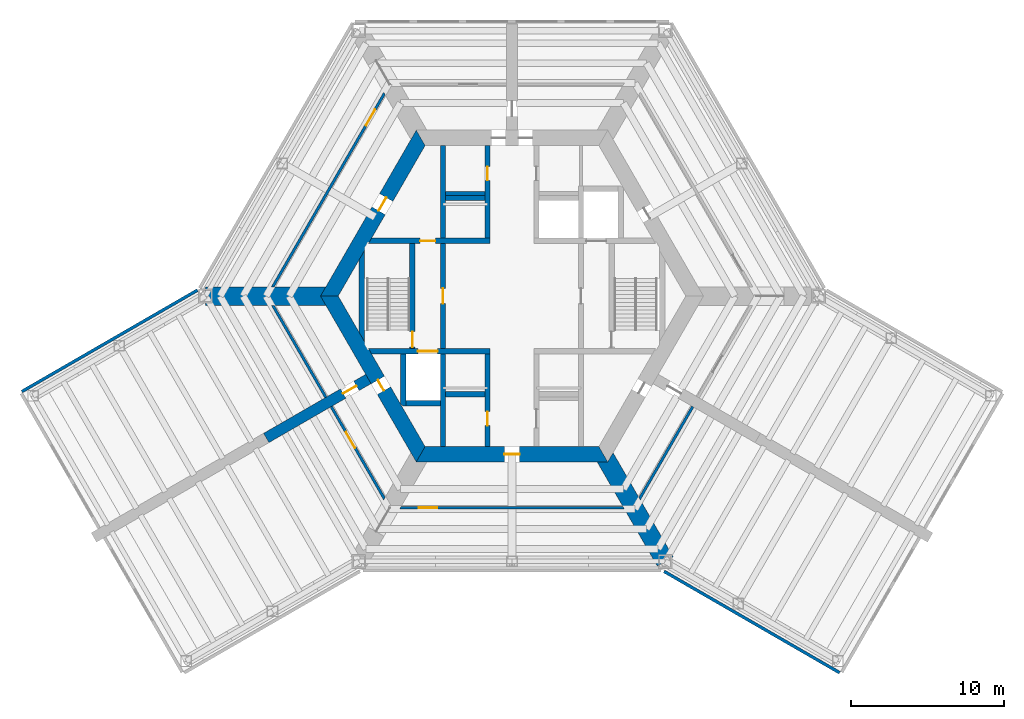
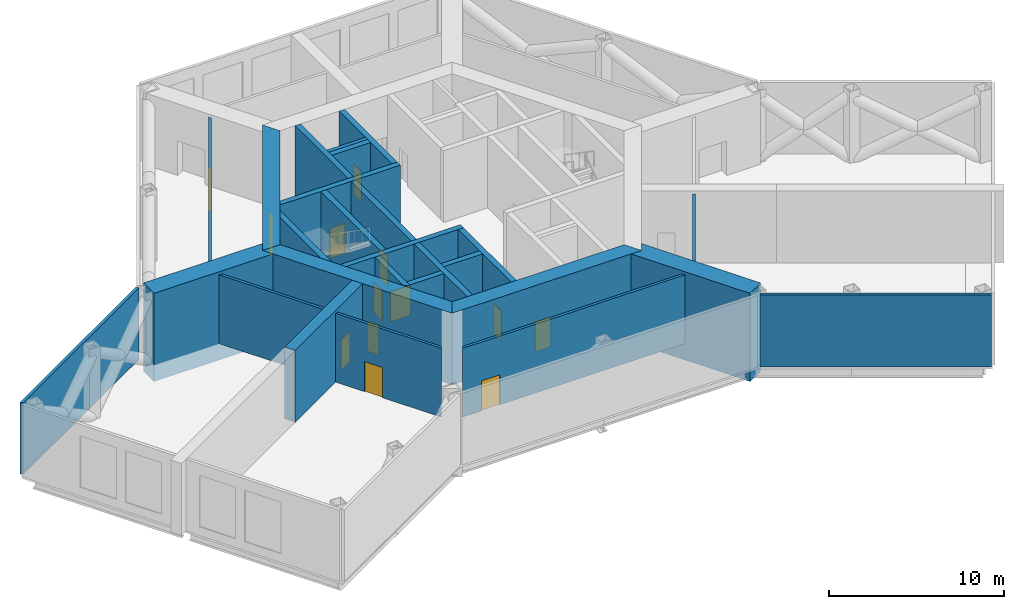
# One storey, part 4 of 8: 27 walls, 13 doors, 13 openings.
"""IFC4 building model written with IfcOpenShell, lengths in metres."""

import ifcopenshell
import ifcopenshell.guid

model = None  # the IFC model being written
_history = None  # IfcOwnerHistory: only IFC2X3 demands one
_inside = {}  # id of a spatial element -> (the spatial element, [elements in it])
_under = {}  # id of a project, library or spatial element -> (it, [spatial elements below it])
_declared = {}  # id of a project -> (the project, [libraries it declares])
_typed = {}  # id of a type object -> (the type object, [elements of that type])
_made_of = {}  # id of a material, layer set ... -> (it, [elements and type objects made of it])


def new_model(schema):
    """Start an empty IFC model of exactly this schema.

    Asked for "IFC4X3", IfcOpenShell would pick the latest addendum, in which some entities
    have other attributes; the version numbers below select the first issue.
    IFC2X3 requires an IfcOwnerHistory on every rooted entity: one is made here for all.
    """
    global model, _history
    if schema == "IFC4X3":
        model = ifcopenshell.file(schema_version=(4, 3, 0, 0))
    else:
        model = ifcopenshell.file(schema=schema)
    _inside.clear()
    _under.clear()
    _declared.clear()
    _typed.clear()
    _made_of.clear()
    _history = None
    if model.schema == "IFC2X3":
        org = make("IfcOrganization", Name="unknown")
        user = make(
            "IfcPersonAndOrganization",
            ThePerson=make("IfcPerson", FamilyName="unknown"),
            TheOrganization=org,
        )
        app = make(
            "IfcApplication",
            ApplicationDeveloper=org,
            Version="unknown",
            ApplicationFullName="unknown",
            ApplicationIdentifier="unknown",
        )
        _history = make(
            "IfcOwnerHistory",
            OwningUser=user,
            OwningApplication=app,
            ChangeAction="ADDED",
            CreationDate=0,
        )
    return model


def make(cls, **values):
    """One entity of the class cls with the attributes given. An attribute that is None is left unset."""
    return model.create_entity(
        cls, **{name: value for name, value in values.items() if value is not None}
    )


def rooted(cls, **values):
    """An entity with a GlobalId (a new one), such as an element, a storey or a relation."""
    return make(cls, GlobalId=ifcopenshell.guid.new(), OwnerHistory=_history, **values)


def si_unit(unit_type, name, prefix=None):
    """IfcSIUnit, for example si_unit("LENGTHUNIT", "METRE", prefix="MILLI")."""
    return make("IfcSIUnit", UnitType=unit_type, Prefix=prefix, Name=name)


def assignment(units):
    """IfcUnitAssignment: the units of a project."""
    return None if units is None else make("IfcUnitAssignment", Units=units)


def point(xyz):
    """IfcCartesianPoint."""
    return None if xyz is None else make("IfcCartesianPoint", Coordinates=xyz)


def direction(xyz):
    """IfcDirection."""
    return None if xyz is None else make("IfcDirection", DirectionRatios=xyz)


def frame(location, z_axis=None, x_axis=None):
    """IfcAxis2Placement3D, a coordinate frame: its origin and axes. An axis left out is left unset."""
    return make(
        "IfcAxis2Placement3D",
        Location=point(location),
        Axis=direction(z_axis),
        RefDirection=direction(x_axis),
    )


def frame_2d(location, x_axis=None):
    """IfcAxis2Placement2D, a coordinate frame in the plane: its origin and x axis."""
    return make(
        "IfcAxis2Placement2D", Location=point(location), RefDirection=direction(x_axis)
    )


def origin():
    """The frame at (0, 0, 0) with its axes left unset."""
    return frame((0.0, 0.0, 0.0))


def place(relative_to, where):
    """IfcLocalPlacement: puts the frame where relative to a parent placement (None: the world)."""
    return make(
        "IfcLocalPlacement", PlacementRelTo=relative_to, RelativePlacement=where
    )


def context(
    kind, dimensions, precision=None, world=None, true_north=None, identifier=None
):
    """IfcGeometricRepresentationContext, for example the 3D "Model" context."""
    return make(
        "IfcGeometricRepresentationContext",
        ContextIdentifier=identifier,
        ContextType=kind,
        CoordinateSpaceDimension=dimensions,
        Precision=precision,
        WorldCoordinateSystem=world,
        TrueNorth=true_north,
    )


def subcontext(parent, identifier, kind, view, scale=None):
    """IfcGeometricRepresentationSubContext, for example "Body" below "Model"."""
    return make(
        "IfcGeometricRepresentationSubContext",
        ContextIdentifier=identifier,
        ContextType=kind,
        ParentContext=parent,
        TargetScale=scale,
        TargetView=view,
    )


def project(units=None, contexts=None):
    """IfcProject with its units and contexts."""
    return rooted(
        "IfcProject",
        Name="project",
        RepresentationContexts=contexts,
        UnitsInContext=assignment(units),
    )


def spatial(cls, under=None, at=None, **own):
    """A site, building, storey or space (cls), placed at a placement, below another one or the project."""
    s = rooted(cls, ObjectPlacement=at, **own)
    if under is not None:
        _under.setdefault(under.id(), (under, []))[1].append(s)
    return s


def polyline(points):
    """IfcPolyline through the points."""
    return make("IfcPolyline", Points=[point(p) for p in points])


def profile(cls, at=None, kind="AREA", **sizes):
    """A parametric profile (cls). Its sizes go by their IFC names, for example OverallWidth=200.0."""
    return make(cls, ProfileType=kind, Position=at, **sizes)


def rectangle(**sizes):
    """IfcRectangleProfileDef."""
    return profile("IfcRectangleProfileDef", **sizes)


def outline(outer, holes=None, kind="AREA"):
    """IfcArbitraryClosedProfileDef: a profile drawn as a closed curve; with holes, ...WithVoids."""
    if holes is None:
        return make("IfcArbitraryClosedProfileDef", ProfileType=kind, OuterCurve=outer)
    return make(
        "IfcArbitraryProfileDefWithVoids",
        ProfileType=kind,
        OuterCurve=outer,
        InnerCurves=holes,
    )


def extrude(swept, where, along, depth):
    """IfcExtrudedAreaSolid: the profile swept, set in the frame where, extruded along a direction by depth."""
    return make(
        "IfcExtrudedAreaSolid",
        SweptArea=swept,
        Position=where,
        ExtrudedDirection=direction(along),
        Depth=depth,
    )


def shape(context_of_items, identifier, shape_type, items):
    """IfcShapeRepresentation: the items that make up one representation, for example the "Body"."""
    return make(
        "IfcShapeRepresentation",
        ContextOfItems=context_of_items,
        RepresentationIdentifier=identifier,
        RepresentationType=shape_type,
        Items=items,
    )


def material(Name=None, Category=None):
    """IfcMaterial."""
    return make("IfcMaterial", Name=Name, Category=Category)


def layer(
    of_material, thickness, ventilated=None, Name=None, Category=None, Priority=None
):
    """IfcMaterialLayer: one layer of a wall or slab, of a material (None: an air gap)."""
    return make(
        "IfcMaterialLayer",
        Material=of_material,
        LayerThickness=thickness,
        IsVentilated=ventilated,
        Name=Name,
        Category=Category,
        Priority=Priority,
    )


def layer_set(layers, Name=None):
    """IfcMaterialLayerSet."""
    return make("IfcMaterialLayerSet", MaterialLayers=layers, LayerSetName=Name)


def made_of(thing, what):
    """Note that an element or type object is made of a material, layer set ...; save() writes the relation."""
    if what is not None:
        _made_of.setdefault(what.id(), (what, []))[1].append(thing)
    return thing


def type_object(cls, material=None, **own):
    """A type object (cls), such as IfcWallType, which elements share."""
    return made_of(rooted(cls, **own), material)


def element(
    cls,
    number,
    at=None,
    inside=None,
    cuts=None,
    type_object=None,
    material=None,
    context=None,
    identifier="Body",
    shape_type=None,
    held_by="IfcProductDefinitionShape",
    body=None,
    shapes=None,
    **own,
):
    """One element of the class cls, such as IfcWall. Its Tag is "e" and its number.

    at: its placement. inside: the storey or other place that contains it. cuts: it is an
    opening in that element (IfcRelVoidsElement). A single representation is given by context,
    identifier, shape_type and body (its items); several are given by shapes. held_by: the class
    of the entity that holds the representations. save() writes the other relations.
    """
    e = rooted(cls, Tag="e%d" % number, ObjectPlacement=at, **own)
    if body is not None:
        shapes = [shape(context, identifier, shape_type, body)]
    if shapes is not None:
        e.Representation = make(held_by, Representations=shapes)
    if inside is not None:
        _inside.setdefault(inside.id(), (inside, []))[1].append(e)
    if cuts is not None:
        rooted(
            "IfcRelVoidsElement", RelatingBuildingElement=cuts, RelatedOpeningElement=e
        )
    if type_object is not None:
        _typed.setdefault(type_object.id(), (type_object, []))[1].append(e)
    return made_of(e, material)


def fill(opening, filler):
    """IfcRelFillsElement: the door or window that sits in an opening."""
    return rooted(
        "IfcRelFillsElement",
        RelatingOpeningElement=opening,
        RelatedBuildingElement=filler,
    )


def aggregate(whole, parts):
    """IfcRelAggregates: a whole, such as a stair, and the parts it consists of."""
    return rooted("IfcRelAggregates", RelatingObject=whole, RelatedObjects=parts)


def save(model, path):
    """Write the relations noted so far, then the file.

    IfcRelAggregates (storeys below a building ...), IfcRelContainedInSpatialStructure (elements
    in a storey), IfcRelDefinesByType, IfcRelAssociatesMaterial and IfcRelDeclares: one each for
    every whole, place, type object, material and project.
    """
    for whole, parts in _under.values():
        aggregate(whole, parts)
    for where, things in _inside.values():
        rooted(
            "IfcRelContainedInSpatialStructure",
            RelatedElements=things,
            RelatingStructure=where,
        )
    for kind, things in _typed.values():
        rooted("IfcRelDefinesByType", RelatedObjects=things, RelatingType=kind)
    for what, things in _made_of.values():
        rooted("IfcRelAssociatesMaterial", RelatedObjects=things, RelatingMaterial=what)
    for by, libraries in _declared.values():
        rooted("IfcRelDeclares", RelatingContext=by, RelatedDefinitions=libraries)
    model.write(path)


model = new_model("IFC4")

# Units and contexts
model_context = context("Model", 3, precision=1e-05, world=origin(), true_north=direction((0.0, 1.0)))
body_context = subcontext(model_context, "Body", "Model", "MODEL_VIEW")
ifc_project = project(units=[si_unit("LENGTHUNIT", "METRE"), si_unit("AREAUNIT", "SQUARE_METRE"), si_unit("VOLUMEUNIT", "CUBIC_METRE"), si_unit("PLANEANGLEUNIT", "RADIAN"), si_unit("MASSUNIT", "GRAM", prefix="KILO")], contexts=[model_context])

# Site, building, storey
site_placement = place(None, origin())
site = spatial("IfcSite", under=ifc_project, at=site_placement, CompositionType="ELEMENT")
building_placement = place(site_placement, origin())
building = spatial("IfcBuilding", under=site, at=building_placement, Name="Kasaneha Research Tower", CompositionType="ELEMENT")
storey_placement = place(building_placement, frame((0.0, 0.0, 203.300048828125)))
storey = spatial("IfcBuildingStorey", under=building, at=storey_placement, Name="L51", CompositionType="ELEMENT", Elevation=203.300048828125)

# Wall, opening, door
ifc_material_1 = material(Name="Concrete Fc70", Category="concrete")
ifc_layer_1 = layer(ifc_material_1, 0.35009765625)
ifc_layer_set_1 = layer_set([ifc_layer_1], Name="Core internal wall 350 Fc70")
wall_type_1 = type_object("IfcWallType", Name="Core internal wall 350 Fc70", PredefinedType="SHEAR", material=ifc_layer_set_1)
wall_1_placement = place(storey_placement, frame((-9.266357421875, 3.60009765625, 0.0), z_axis=(0.0, 0.0, 1.0), x_axis=(1.0, 0.0, 0.0)))
wall_1 = element("IfcWall", 1, at=wall_1_placement, inside=storey, type_object=wall_type_1, Name="Core wall W1W L51", PredefinedType="SHEAR", context=body_context, shape_type="SweptSolid", body=[
    extrude(outline(polyline([(-0.10107421875, -0.175048828125), (3.266357421875, -0.175048828125), (4.266357421875, -0.175048828125), (7.84130859375, -0.175048828125), (7.84130859375, 0.175048828125), (4.266357421875, 0.175048828125), (3.266357421875, 0.175048828125), (0.10107421875, 0.175048828125), (-0.10107421875, -0.175048828125)])), origin(), (0.0, 0.0, 1.0), 5.0),
])
opening_1_placement = place(wall_1_placement, frame((3.266357421875, 0.0, 0.0)))
opening_1 = element("IfcOpeningElement", 2, at=opening_1_placement, cuts=wall_1, Name="Opening L51-D12", PredefinedType="OPENING", context=body_context, shape_type="SweptSolid", body=[
    extrude(rectangle(XDim=1.0, YDim=2.10009765625, at=frame_2d((0.5, 1.050048828125))), frame((0.0, 0.18505859375, 0.0), z_axis=(0.0, -1.0, 0.0), x_axis=(1.0, 0.0, 0.0)), (0.0, 0.0, 1.0), 0.3701171875),
])
ifc_material_2 = material(Name="Steel", Category="steel")
door_type_1 = type_object("IfcDoorType", Name="Specified fire door FD60 1000x2100", OperationType="NOTDEFINED", PredefinedType="DOOR", material=ifc_material_2)
door_1_placement = place(opening_1_placement, origin())
door_1 = element("IfcDoor", 3, at=door_1_placement, inside=storey, type_object=door_type_1, Name="Vestibule to lobby door L51-D12", OperationType="SINGLE_SWING_LEFT", OverallHeight=2.10009765625, OverallWidth=1.0, PredefinedType="DOOR", context=body_context, shape_type="SweptSolid", body=[
    extrude(rectangle(XDim=1.0, YDim=2.10009765625, at=frame_2d((0.5, 1.050048828125))), frame((0.0, 0.02490234375, 0.0), z_axis=(0.0, -1.0, 0.0), x_axis=(1.0, 0.0, 0.0)), (0.0, 0.0, 1.0), 0.050048828125),
])
fill(opening_1, door_1)

wall_2_placement = place(storey_placement, frame((-9.266357421875, -3.60009765625, 0.0), z_axis=(0.0, 0.0, 1.0), x_axis=(1.0, 0.0, 0.0)))
wall_2 = element("IfcWall", 4, at=wall_2_placement, inside=storey, type_object=wall_type_1, Name="Core wall W2W L51", PredefinedType="SHEAR", context=body_context, shape_type="SweptSolid", body=[
    extrude(outline(polyline([(0.10107421875, -0.175048828125), (3.116455078125, -0.175048828125), (4.41650390625, -0.175048828125), (7.84130859375, -0.175048828125), (7.84130859375, 0.175048828125), (4.41650390625, 0.175048828125), (3.116455078125, 0.175048828125), (-0.10107421875, 0.175048828125), (0.10107421875, -0.175048828125)])), origin(), (0.0, 0.0, 1.0), 5.0),
])
opening_2_placement = place(wall_2_placement, frame((3.116455078125, 0.0, 0.0)))
opening_2 = element("IfcOpeningElement", 5, at=opening_2_placement, cuts=wall_2, Name="Opening LD-FL2-L51", PredefinedType="OPENING", context=body_context, shape_type="SweptSolid", body=[
    extrude(rectangle(XDim=1.300048828125, YDim=2.10009765625, at=frame_2d((0.64990234375, 1.050048828125))), frame((0.0, 0.18505859375, 0.0), z_axis=(0.0, -1.0, 0.0), x_axis=(1.0, 0.0, 0.0)), (0.0, 0.0, 1.0), 0.3701171875),
])
ifc_material_3 = material(Name="Steel", Category="steel")
door_type_2 = type_object("IfcDoorType", Name="Lift landing door 1300x2100", OperationType="DOUBLE_DOOR_SLIDING", PredefinedType="DOOR", material=ifc_material_3)
door_2_placement = place(opening_2_placement, origin())
door_2 = element("IfcDoor", 6, at=door_2_placement, inside=storey, type_object=door_type_2, Name="Landing door FL2 LD-FL2-L51", OperationType="DOUBLE_DOOR_SLIDING", OverallHeight=2.10009765625, OverallWidth=1.300048828125, PredefinedType="DOOR", context=body_context, shape_type="SweptSolid", body=[
    extrude(rectangle(XDim=1.300048828125, YDim=2.10009765625, at=frame_2d((0.64990234375, 1.050048828125))), frame((0.0, 0.02490234375, 0.0), z_axis=(0.0, -1.0, 0.0), x_axis=(1.0, 0.0, 0.0)), (0.0, 0.0, 1.0), 0.050048828125),
])
fill(opening_2, door_2)

wall_3_placement = place(storey_placement, frame((-1.60009765625, 3.77490234375, 0.0), z_axis=(0.0, 0.0, 1.0), x_axis=(0.0, 1.0, 0.0)))
wall_3 = element("IfcWall", 7, at=wall_3_placement, inside=storey, type_object=wall_type_1, Name="Core wall CNW L51", PredefinedType="SHEAR", context=body_context, shape_type="SweptSolid", body=[
    extrude(rectangle(XDim=6.050048828125, YDim=0.35009765625, at=frame_2d((3.02490234375, 0.0))), origin(), (0.0, 0.0, 1.0), 5.0),
])
opening_3_placement = place(wall_3_placement, frame((3.77490234375, 0.0, 0.0)))
opening_3 = element("IfcOpeningElement", 8, at=opening_3_placement, cuts=wall_3, Name="Opening L51-D13", PredefinedType="OPENING", context=body_context, shape_type="SweptSolid", body=[
    extrude(rectangle(XDim=0.89990234375, YDim=2.10009765625, at=frame_2d((0.449951171875, 1.050048828125))), frame((0.0, 0.18505859375, 0.0), z_axis=(0.0, -1.0, 0.0), x_axis=(1.0, 0.0, 0.0)), (0.0, 0.0, 1.0), 0.3701171875),
])
ifc_material_4 = material(Name="Steel", Category="steel")
door_type_3 = type_object("IfcDoorType", Name="Toilet door FD20 900x2100", OperationType="NOTDEFINED", PredefinedType="DOOR", material=ifc_material_4)
door_3_placement = place(opening_3_placement, origin())
door_3 = element("IfcDoor", 9, at=door_3_placement, inside=storey, type_object=door_type_3, Name="Men's WC door L51-D13", OperationType="SINGLE_SWING_LEFT", OverallHeight=2.10009765625, OverallWidth=0.89990234375, PredefinedType="DOOR", context=body_context, shape_type="SweptSolid", body=[
    extrude(rectangle(XDim=0.89990234375, YDim=2.10009765625, at=frame_2d((0.449951171875, 1.050048828125))), frame((0.0, 0.02490234375, 0.0), z_axis=(0.0, -1.0, 0.0), x_axis=(1.0, 0.0, 0.0)), (0.0, 0.0, 1.0), 0.050048828125),
])
fill(opening_3, door_3)

wall_4_placement = place(storey_placement, frame((-1.60009765625, -3.77490234375, 0.0), z_axis=(0.0, 0.0, 1.0), x_axis=(0.0, -1.0, 0.0)))
wall_4 = element("IfcWall", 10, at=wall_4_placement, inside=storey, type_object=wall_type_1, Name="Core wall CSW L51", PredefinedType="SHEAR", context=body_context, shape_type="SweptSolid", body=[
    extrude(rectangle(XDim=6.050048828125, YDim=0.35009765625, at=frame_2d((3.02490234375, 0.0))), origin(), (0.0, 0.0, 1.0), 5.0),
])
opening_4_placement = place(wall_4_placement, frame((3.77490234375, 0.0, 0.0)))
opening_4 = element("IfcOpeningElement", 11, at=opening_4_placement, cuts=wall_4, Name="Opening L51-D16", PredefinedType="OPENING", context=body_context, shape_type="SweptSolid", body=[
    extrude(rectangle(XDim=0.89990234375, YDim=2.10009765625, at=frame_2d((0.449951171875, 1.050048828125))), frame((0.0, 0.18505859375, 0.0), z_axis=(0.0, -1.0, 0.0), x_axis=(1.0, 0.0, 0.0)), (0.0, 0.0, 1.0), 0.3701171875),
])
ifc_material_5 = material(Name="Steel", Category="steel")
door_type_4 = type_object("IfcDoorType", Name="Riser access door FD60 900x2100", OperationType="NOTDEFINED", PredefinedType="DOOR", material=ifc_material_5)
door_4_placement = place(opening_4_placement, origin())
door_4 = element("IfcDoor", 12, at=door_4_placement, inside=storey, type_object=door_type_4, Name="Electrical riser door L51-D16", OperationType="SINGLE_SWING_LEFT", OverallHeight=2.10009765625, OverallWidth=0.89990234375, PredefinedType="DOOR", context=body_context, shape_type="SweptSolid", body=[
    extrude(rectangle(XDim=0.89990234375, YDim=2.10009765625, at=frame_2d((0.449951171875, 1.050048828125))), frame((0.0, 0.02490234375, 0.0), z_axis=(0.0, -1.0, 0.0), x_axis=(1.0, 0.0, 0.0)), (0.0, 0.0, 1.0), 0.050048828125),
])
fill(opening_4, door_4)

wall_5_placement = place(storey_placement, frame((-4.5, -3.425048828125, 0.0), z_axis=(0.0, 0.0, 1.0), x_axis=(0.0, 1.0, 0.0)))
wall_5 = element("IfcWall", 13, at=wall_5_placement, inside=storey, type_object=wall_type_1, Name="Core wall LBW L51", PredefinedType="SHEAR", context=body_context, shape_type="SweptSolid", body=[
    extrude(rectangle(XDim=6.85009765625, YDim=0.35009765625, at=frame_2d((3.425048828125, 0.0))), origin(), (0.0, 0.0, 1.0), 5.0),
])
opening_5_placement = place(wall_5_placement, frame((2.925048828125, 0.0, 0.0)))
opening_5 = element("IfcOpeningElement", 14, at=opening_5_placement, cuts=wall_5, Name="Opening L51-D09", PredefinedType="OPENING", context=body_context, shape_type="SweptSolid", body=[
    extrude(rectangle(XDim=1.0, YDim=2.10009765625, at=frame_2d((0.5, 1.050048828125))), frame((0.0, 0.18505859375, 0.0), z_axis=(0.0, -1.0, 0.0), x_axis=(1.0, 0.0, 0.0)), (0.0, 0.0, 1.0), 0.3701171875),
])
door_5_placement = place(opening_5_placement, origin())
door_5 = element("IfcDoor", 15, at=door_5_placement, inside=storey, type_object=door_type_1, Name="Lift lobby door west L51-D09", OperationType="SINGLE_SWING_LEFT", OverallHeight=2.10009765625, OverallWidth=1.0, PredefinedType="DOOR", context=body_context, shape_type="SweptSolid", body=[
    extrude(rectangle(XDim=1.0, YDim=2.10009765625, at=frame_2d((0.5, 1.050048828125))), frame((0.0, 0.02490234375, 0.0), z_axis=(0.0, -1.0, 0.0), x_axis=(1.0, 0.0, 0.0)), (0.0, 0.0, 1.0), 0.050048828125),
])
fill(opening_5, door_5)

wall_6_placement = place(storey_placement, frame((-6.5, -3.425048828125, 0.0), z_axis=(0.0, 0.0, 1.0), x_axis=(0.0, 1.0, 0.0)))
wall_6 = element("IfcWall", 16, at=wall_6_placement, inside=storey, type_object=wall_type_1, Name="Core wall ANW L51", PredefinedType="SHEAR", context=body_context, shape_type="SweptSolid", body=[
    extrude(rectangle(XDim=6.85009765625, YDim=0.35009765625, at=frame_2d((3.425048828125, 0.0))), origin(), (0.0, 0.0, 1.0), 5.0),
])
opening_6_placement = place(wall_6_placement, frame((0.10009765625, 0.0, 0.0)))
opening_6 = element("IfcOpeningElement", 17, at=opening_6_placement, cuts=wall_6, Name="Opening L51-D11", PredefinedType="OPENING", context=body_context, shape_type="SweptSolid", body=[
    extrude(rectangle(XDim=1.0, YDim=2.10009765625, at=frame_2d((0.5, 1.050048828125))), frame((0.0, 0.18505859375, 0.0), z_axis=(0.0, -1.0, 0.0), x_axis=(1.0, 0.0, 0.0)), (0.0, 0.0, 1.0), 0.3701171875),
])
door_6_placement = place(opening_6_placement, origin())
door_6 = element("IfcDoor", 18, at=door_6_placement, inside=storey, type_object=door_type_1, Name="Stair 2 door L51-D11", OperationType="SINGLE_SWING_LEFT", OverallHeight=2.10009765625, OverallWidth=1.0, PredefinedType="DOOR", context=body_context, shape_type="SweptSolid", body=[
    extrude(rectangle(XDim=1.0, YDim=2.10009765625, at=frame_2d((0.5, 1.050048828125))), frame((0.0, 0.02490234375, 0.0), z_axis=(0.0, -1.0, 0.0), x_axis=(1.0, 0.0, 0.0)), (0.0, 0.0, 1.0), 0.050048828125),
])
fill(opening_6, door_6)

# Walls
for number, where, z_axis, x_axis, name in (
    (19, (-4.5, 3.77490234375, 0.0), (0.0, 0.0, 1.0), (0.0, 1.0, 0.0), "Core wall VNW L51"),
    (20, (-4.5, -3.77490234375, 0.0), (0.0, 0.0, 1.0), (0.0, -1.0, 0.0), "Core wall SSW L51"),
):
    element("IfcWall", number, at=place(storey_placement, frame(where, z_axis=z_axis, x_axis=x_axis)), inside=storey, type_object=wall_type_1, Name=name, PredefinedType="SHEAR", context=body_context, shape_type="SweptSolid", body=[
        extrude(rectangle(XDim=6.050048828125, YDim=0.35009765625, at=frame_2d((3.02490234375, 0.0))), origin(), (0.0, 0.0, 1.0), 5.0),
    ])
for number, where, z_axis, x_axis, name in (
    (21, (-4.324951171875, 6.39990234375, 0.0), (0.0, 0.0, 1.0), (1.0, 0.0, 0.0), "Core wall N1N L51"),
    (22, (-4.324951171875, -6.39990234375, 0.0), (0.0, 0.0, 1.0), (1.0, 0.0, 0.0), "Core wall S1S L51"),
):
    element("IfcWall", number, at=place(storey_placement, frame(where, z_axis=z_axis, x_axis=x_axis)), inside=storey, type_object=wall_type_1, Name=name, PredefinedType="SHEAR", context=body_context, shape_type="SweptSolid", body=[
        extrude(rectangle(XDim=2.550048828125, YDim=0.35009765625, at=frame_2d((1.27490234375, 0.0))), origin(), (0.0, 0.0, 1.0), 5.0),
    ])
wall_7_placement = place(storey_placement, frame((-6.925048828125, -7.0, 0.0), z_axis=(0.0, 0.0, 1.0), x_axis=(1.0, 0.0, 0.0)))
element("IfcWall", 23, at=wall_7_placement, inside=storey, type_object=wall_type_1, Name="Core wall F2S L51", PredefinedType="SHEAR", context=body_context, shape_type="SweptSolid", body=[
    extrude(rectangle(XDim=2.25, YDim=0.35009765625, at=frame_2d((1.125, 0.0))), origin(), (0.0, 0.0, 1.0), 5.0),
])
wall_8_placement = place(storey_placement, frame((-7.10009765625, -3.77490234375, 0.0), z_axis=(0.0, 0.0, 1.0), x_axis=(0.0, -1.0, 0.0)))
element("IfcWall", 24, at=wall_8_placement, inside=storey, type_object=wall_type_1, Name="Core wall F2W L51", PredefinedType="SHEAR", context=body_context, shape_type="SweptSolid", body=[
    extrude(outline(polyline([(0.0, -0.175048828125), (3.2744140625, -0.175048828125), (3.400146484375, 0.0), (3.400146484375, 0.175048828125), (0.0, 0.175048828125), (0.0, -0.175048828125)])), origin(), (0.0, 0.0, 1.0), 5.0),
])
wall_9_placement = place(storey_placement, frame((-9.807861328125, -2.662353515625, 0.0), z_axis=(0.0, 0.0, 1.0), x_axis=(0.0, 1.0, 0.0)))
element("IfcWall", 25, at=wall_9_placement, inside=storey, type_object=wall_type_1, Name="Core wall STW L51", PredefinedType="SHEAR", context=body_context, shape_type="SweptSolid", body=[
    extrude(outline(polyline([(-0.30322265625, -0.175048828125), (5.6279296875, -0.175048828125), (5.021484375, 0.175048828125), (0.30322265625, 0.175048828125), (-0.30322265625, -0.175048828125)])), origin(), (0.0, 0.0, 1.0), 5.0),
])

# Wall, opening, door
ifc_material_6 = material(Name="Concrete Fc70", Category="concrete")
ifc_layer_2 = layer(ifc_material_6, 1.0)
ifc_layer_set_2 = layer_set([ifc_layer_2], Name="Core wall 1000 Fc70")
wall_type_2 = type_object("IfcWallType", Name="Core wall 1000 Fc70", PredefinedType="SHEAR", material=ifc_layer_set_2)
wall_10_placement = place(storey_placement, frame((-5.961181640625, 10.324951171875, 0.0), z_axis=(0.0, 0.0, 1.0), x_axis=(-0.500004296715, -0.866022923061, 0.0)))
wall_10 = element("IfcWall", 26, at=wall_10_placement, inside=storey, type_object=wall_type_2, Name="Core wall 150 L51", PredefinedType="SHEAR", context=body_context, shape_type="SweptSolid", body=[
    extrude(outline(polyline([(-0.28857421875, -0.5), (4.494140625, -0.5), (5.494140625, -0.5), (12.2109375, -0.5), (11.6337890625, 0.5), (5.494140625, 0.5), (4.494140625, 0.5), (0.28857421875, 0.5), (-0.28857421875, -0.5)])), origin(), (0.0, 0.0, 1.0), 5.0),
])
opening_7_placement = place(wall_10_placement, frame((4.494140625, 0.0, 0.0)))
opening_7 = element("IfcOpeningElement", 27, at=opening_7_placement, cuts=wall_10, Name="Opening L51-D07", PredefinedType="OPENING", context=body_context, shape_type="SweptSolid", body=[
    extrude(rectangle(XDim=1.0, YDim=2.10009765625, at=frame_2d((0.5, 1.050048828125))), frame((0.0, 0.510009765625, 0.0), z_axis=(0.0, -1.0, 0.0), x_axis=(1.0, 0.0, 0.0)), (0.0, 0.0, 1.0), 1.02001953125),
])
ifc_material_7 = material(Name="Steel", Category="steel")
door_type_5 = type_object("IfcDoorType", Name="Fire door FD20 1000x2100", OperationType="NOTDEFINED", PredefinedType="DOOR", material=ifc_material_7)
door_7_placement = place(opening_7_placement, origin())
door_7 = element("IfcDoor", 28, at=door_7_placement, inside=storey, type_object=door_type_5, Name="Vestibule door L51-D07", OperationType="SINGLE_SWING_LEFT", OverallHeight=2.10009765625, OverallWidth=1.0, PredefinedType="DOOR", context=body_context, shape_type="SweptSolid", body=[
    extrude(rectangle(XDim=1.0, YDim=2.10009765625, at=frame_2d((0.5, 1.050048828125))), frame((0.0, 0.02490234375, 0.0), z_axis=(0.0, -1.0, 0.0), x_axis=(1.0, 0.0, 0.0)), (0.0, 0.0, 1.0), 0.050048828125),
])
fill(opening_7, door_7)

wall_11_placement = place(storey_placement, frame((-11.92236328125, 0.0, 0.0), z_axis=(0.0, 0.0, 1.0), x_axis=(0.500004296715, -0.866022923061, 0.0)))
wall_11 = element("IfcWall", 29, at=wall_11_placement, inside=storey, type_object=wall_type_2, Name="Core wall 210 L51", PredefinedType="SHEAR", context=body_context, shape_type="SweptSolid", body=[
    extrude(outline(polyline([(-0.28857421875, -0.5), (6.3310546875, -0.5), (7.131103515625, -0.5), (12.2109375, -0.5), (11.6337890625, 0.5), (7.131103515625, 0.5), (6.3310546875, 0.5), (0.28857421875, 0.5), (-0.28857421875, -0.5)])), origin(), (0.0, 0.0, 1.0), 5.0),
])
opening_8_placement = place(wall_11_placement, frame((6.3310546875, 0.0, 0.0)))
opening_8 = element("IfcOpeningElement", 30, at=opening_8_placement, cuts=wall_11, Name="Opening L51-D06", PredefinedType="OPENING", context=body_context, shape_type="SweptSolid", body=[
    extrude(rectangle(XDim=0.800048828125, YDim=2.10009765625, at=frame_2d((0.39990234375, 1.050048828125))), frame((0.0, 0.510009765625, 0.0), z_axis=(0.0, -1.0, 0.0), x_axis=(1.0, 0.0, 0.0)), (0.0, 0.0, 1.0), 1.02001953125),
])
ifc_material_8 = material(Name="Steel", Category="steel")
door_type_6 = type_object("IfcDoorType", Name="Riser access door FD60 800x2100", OperationType="NOTDEFINED", PredefinedType="DOOR", material=ifc_material_8)
door_8_placement = place(opening_8_placement, origin())
door_8 = element("IfcDoor", 31, at=door_8_placement, inside=storey, type_object=door_type_6, Name="Duct riser door L51-D06", OperationType="SINGLE_SWING_RIGHT", OverallHeight=2.10009765625, OverallWidth=0.800048828125, PredefinedType="DOOR", context=body_context, shape_type="SweptSolid", body=[
    extrude(rectangle(XDim=0.800048828125, YDim=2.10009765625, at=frame_2d((0.39990234375, 1.050048828125))), frame((0.0, 0.02490234375, 0.0), z_axis=(0.0, -1.0, 0.0), x_axis=(1.0, 0.0, 0.0)), (0.0, 0.0, 1.0), 0.050048828125),
])
fill(opening_8, door_8)

wall_12_placement = place(storey_placement, frame((-5.961181640625, -10.324951171875, 0.0), z_axis=(0.0, 0.0, 1.0), x_axis=(1.0, 0.0, 0.0)))
wall_12 = element("IfcWall", 32, at=wall_12_placement, inside=storey, type_object=wall_type_2, Name="Core wall 270 L51", PredefinedType="SHEAR", context=body_context, shape_type="SweptSolid", body=[
    extrude(outline(polyline([(-0.28857421875, -0.5), (5.461181640625, -0.5), (6.461181640625, -0.5), (12.2109375, -0.5), (11.6337890625, 0.5), (6.461181640625, 0.5), (5.461181640625, 0.5), (0.28857421875, 0.5), (-0.28857421875, -0.5)])), origin(), (0.0, 0.0, 1.0), 5.0),
])
opening_9_placement = place(wall_12_placement, frame((5.461181640625, 0.0, 0.0)))
opening_9 = element("IfcOpeningElement", 33, at=opening_9_placement, cuts=wall_12, Name="Opening L51-D03", PredefinedType="OPENING", context=body_context, shape_type="SweptSolid", body=[
    extrude(rectangle(XDim=1.0, YDim=2.10009765625, at=frame_2d((0.5, 1.050048828125))), frame((0.0, 0.510009765625, 0.0), z_axis=(0.0, -1.0, 0.0), x_axis=(1.0, 0.0, 0.0)), (0.0, 0.0, 1.0), 1.02001953125),
])
door_9_placement = place(opening_9_placement, origin())
door_9 = element("IfcDoor", 34, at=door_9_placement, inside=storey, type_object=door_type_5, Name="Core door south L51-D03", OperationType="SINGLE_SWING_LEFT", OverallHeight=2.10009765625, OverallWidth=1.0, PredefinedType="DOOR", context=body_context, shape_type="SweptSolid", body=[
    extrude(rectangle(XDim=1.0, YDim=2.10009765625, at=frame_2d((0.5, 1.050048828125))), frame((0.0, 0.02490234375, 0.0), z_axis=(0.0, -1.0, 0.0), x_axis=(1.0, 0.0, 0.0)), (0.0, 0.0, 1.0), 0.050048828125),
])
fill(opening_9, door_9)

# Walls
ifc_material_9 = material(Name="Terracotta cladding on steel frame", Category="masonry")
ifc_layer_3 = layer(ifc_material_9, 0.199951171875)
ifc_layer_set_3 = layer_set([ifc_layer_3], Name="Louvred plant wall 200")
wall_type_3 = type_object("IfcWallType", Name="Louvred plant wall 200", PredefinedType="ELEMENTEDWALL", material=ifc_layer_set_3)
for number, where, z_axis, x_axis, name in (
    (35, (9.92578125, -17.970458984375, 0.0), (0.0, 0.0, 1.0), (0.86602620781, -0.499998607384, 0.0), "Louvred plant wall L51"),
    (36, (-20.52587890625, 0.38916015625, 0.0), (0.0, 0.0, 1.0), (-0.86602620781, -0.499998607384, 0.0), "Louvred plant wall L51"),
):
    element("IfcWall", number, at=place(storey_placement, frame(where, z_axis=z_axis, x_axis=x_axis)), inside=storey, type_object=wall_type_3, Name=name, PredefinedType="ELEMENTEDWALL", context=body_context, shape_type="SweptSolid", body=[
        extrude(rectangle(XDim=13.2392578125, YDim=0.199951171875, at=frame_2d((6.61962890625, 0.0))), origin(), (0.0, 0.0, 1.0), 5.0),
    ])
ifc_material_10 = material(Name="Concrete Fc70", Category="concrete")
ifc_layer_4 = layer(ifc_material_10, 1.199951171875)
ifc_layer_set_4 = layer_set([ifc_layer_4], Name="Outrigger wall 1200 Fc70")
wall_type_4 = type_object("IfcWallType", Name="Outrigger wall 1200 Fc70", PredefinedType="SHEAR", material=ifc_layer_set_4)
for number, where, z_axis, x_axis, name in (
    (37, (-12.49951171875, 0.0, -1.150146484375), (0.0, 0.0, 1.0), (-1.0, 0.0, 0.0), "Outrigger wall 180 L51"),
    (38, (6.249755859375, -10.824951171875, -1.150146484375), (0.0, 0.0, 1.0), (0.50000045744, -0.866025139681, 0.0), "Outrigger wall 300 L51"),
):
    element("IfcWall", number, at=place(storey_placement, frame(where, z_axis=z_axis, x_axis=x_axis)), inside=storey, type_object=wall_type_4, Name=name, PredefinedType="SHEAR", context=body_context, shape_type="SweptSolid", body=[
        extrude(outline(polyline([(-0.346435546875, -0.60009765625), (7.50048828125, -0.60009765625), (7.50048828125, 0.60009765625), (-0.346435546875, 0.60009765625), (0.0, 0.0), (-0.346435546875, -0.60009765625)])), origin(), (0.0, 0.0, 1.0), 6.150146484375),
    ])

# Wall, opening, door
ifc_material_11 = material(Name="Gypsum board on steel studs, two layers each side", Category="steel")
ifc_layer_5 = layer(ifc_material_11, 0.175048828125)
ifc_layer_set_5 = layer_set([ifc_layer_5], Name="Refuge fire partition 175")
wall_type_5 = type_object("IfcWallType", Name="Refuge fire partition 175", PredefinedType="PARTITIONING", material=ifc_layer_set_5)
wall_13_placement = place(storey_placement, frame((-8.328369140625, 13.22509765625, 0.0), z_axis=(0.0, 0.0, 1.0), x_axis=(-0.499988229334, -0.866032199475, 0.0)))
wall_13 = element("IfcWall", 39, at=wall_13_placement, inside=storey, type_object=wall_type_5, Name="Refuge fire partition RFBN01 L51", PredefinedType="PARTITIONING", context=body_context, shape_type="SweptSolid", body=[
    extrude(outline(polyline([(-0.050537109375, -0.08740234375), (1.213134765625, -0.08740234375), (2.4130859375, -0.08740234375), (14.62841796875, -0.08740234375), (14.52734375, 0.08740234375), (2.4130859375, 0.08740234375), (1.213134765625, 0.08740234375), (0.050537109375, 0.08740234375), (-0.050537109375, -0.08740234375)])), origin(), (0.0, 0.0, 1.0), 4.800048828125),
])
opening_10_placement = place(wall_13_placement, frame((1.213134765625, 0.0, 0.0)))
opening_10 = element("IfcOpeningElement", 40, at=opening_10_placement, cuts=wall_13, Name="Opening L51-D25", PredefinedType="OPENING", context=body_context, shape_type="SweptSolid", body=[
    extrude(rectangle(XDim=1.199951171875, YDim=2.10009765625, at=frame_2d((0.60009765625, 1.050048828125))), frame((0.0, 0.09765625, 0.0), z_axis=(0.0, -1.0, 0.0), x_axis=(1.0, 0.0, 0.0)), (0.0, 0.0, 1.0), 0.195068359375),
])
ifc_material_12 = material(Name="Steel", Category="steel")
door_type_7 = type_object("IfcDoorType", Name="Laboratory door FD60 1200x2100", OperationType="DOUBLE_DOOR_SINGLE_SWING", PredefinedType="DOOR", material=ifc_material_12)
door_10_placement = place(opening_10_placement, origin())
door_10 = element("IfcDoor", 41, at=door_10_placement, inside=storey, type_object=door_type_7, Name="Plant room door L51-D25", OperationType="DOUBLE_DOOR_SINGLE_SWING", OverallHeight=2.10009765625, OverallWidth=1.199951171875, PredefinedType="DOOR", context=body_context, shape_type="SweptSolid", body=[
    extrude(rectangle(XDim=1.199951171875, YDim=2.10009765625, at=frame_2d((0.60009765625, 1.050048828125))), frame((0.0, 0.02490234375, 0.0), z_axis=(0.0, -1.0, 0.0), x_axis=(1.0, 0.0, 0.0)), (0.0, 0.0, 1.0), 0.050048828125),
])
fill(opening_10, door_10)

# Wall
wall_14_placement = place(storey_placement, frame((-15.6171875, -0.60009765625, 0.0), z_axis=(0.0, 0.0, 1.0), x_axis=(0.499986605379, -0.866033137035, 0.0)))
element("IfcWall", 42, at=wall_14_placement, inside=storey, type_object=wall_type_5, Name="Refuge fire partition RFBN02 L51", PredefinedType="PARTITIONING", context=body_context, shape_type="SweptSolid", body=[
    extrude(outline(polyline([(-0.050537109375, -0.08740234375), (6.933837890625, -0.08740234375), (6.933837890625, 0.08740234375), (0.050537109375, 0.08740234375), (-0.050537109375, -0.08740234375)])), origin(), (0.0, 0.0, 1.0), 4.800048828125),
])

# Wall, opening, door
wall_15_placement = place(storey_placement, frame((-11.79541015625, -7.219970703125, 0.0), z_axis=(0.0, 0.0, 1.0), x_axis=(0.49999776677, -0.866026693137, 0.0)))
wall_15 = element("IfcWall", 43, at=wall_15_placement, inside=storey, type_object=wall_type_5, Name="Refuge fire partition RFBS01 L51", PredefinedType="PARTITIONING", context=body_context, shape_type="SweptSolid", body=[
    extrude(outline(polyline([(0.0, -0.08740234375), (1.900146484375, -0.08740234375), (3.10009765625, -0.08740234375), (6.984619140625, -0.08740234375), (6.883544921875, 0.08740234375), (3.10009765625, 0.08740234375), (1.900146484375, 0.08740234375), (0.0, 0.08740234375), (0.0, -0.08740234375)])), origin(), (0.0, 0.0, 1.0), 4.800048828125),
])
opening_11_placement = place(wall_15_placement, frame((1.900146484375, 0.0, 0.0)))
opening_11 = element("IfcOpeningElement", 44, at=opening_11_placement, cuts=wall_15, Name="Opening L51-D26", PredefinedType="OPENING", context=body_context, shape_type="SweptSolid", body=[
    extrude(rectangle(XDim=1.199951171875, YDim=2.10009765625, at=frame_2d((0.60009765625, 1.050048828125))), frame((0.0, 0.09765625, 0.0), z_axis=(0.0, -1.0, 0.0), x_axis=(1.0, 0.0, 0.0)), (0.0, 0.0, 1.0), 0.195068359375),
])
door_11_placement = place(opening_11_placement, origin())
door_11 = element("IfcDoor", 45, at=door_11_placement, inside=storey, type_object=door_type_7, Name="Plant room door L51-D26", OperationType="DOUBLE_DOOR_SINGLE_SWING", OverallHeight=2.10009765625, OverallWidth=1.199951171875, PredefinedType="DOOR", context=body_context, shape_type="SweptSolid", body=[
    extrude(rectangle(XDim=1.199951171875, YDim=2.10009765625, at=frame_2d((0.60009765625, 1.050048828125))), frame((0.0, 0.02490234375, 0.0), z_axis=(0.0, -1.0, 0.0), x_axis=(1.0, 0.0, 0.0)), (0.0, 0.0, 1.0), 0.050048828125),
])
fill(opening_11, door_11)

wall_16_placement = place(storey_placement, frame((-7.2890625, -13.824951171875, 0.0), z_axis=(0.0, 0.0, 1.0), x_axis=(1.0, 0.0, 0.0)))
wall_16 = element("IfcWall", 46, at=wall_16_placement, inside=storey, type_object=wall_type_5, Name="Refuge fire partition RFCS01 L51", PredefinedType="PARTITIONING", context=body_context, shape_type="SweptSolid", body=[
    extrude(outline(polyline([(-0.050537109375, -0.08740234375), (1.212890625, -0.08740234375), (2.412841796875, -0.08740234375), (14.628662109375, -0.08740234375), (14.527587890625, 0.08740234375), (2.412841796875, 0.08740234375), (1.212890625, 0.08740234375), (0.050537109375, 0.08740234375), (-0.050537109375, -0.08740234375)])), origin(), (0.0, 0.0, 1.0), 4.800048828125),
])
opening_12_placement = place(wall_16_placement, frame((1.212890625, 0.0, 0.0)))
opening_12 = element("IfcOpeningElement", 47, at=opening_12_placement, cuts=wall_16, Name="Opening L51-D28", PredefinedType="OPENING", context=body_context, shape_type="SweptSolid", body=[
    extrude(rectangle(XDim=1.199951171875, YDim=2.10009765625, at=frame_2d((0.60009765625, 1.050048828125))), frame((0.0, 0.09765625, 0.0), z_axis=(0.0, -1.0, 0.0), x_axis=(1.0, 0.0, 0.0)), (0.0, 0.0, 1.0), 0.195068359375),
])
door_12_placement = place(opening_12_placement, origin())
door_12 = element("IfcDoor", 48, at=door_12_placement, inside=storey, type_object=door_type_7, Name="Plant room door L51-D28", OperationType="DOUBLE_DOOR_SINGLE_SWING", OverallHeight=2.10009765625, OverallWidth=1.199951171875, PredefinedType="DOOR", context=body_context, shape_type="SweptSolid", body=[
    extrude(rectangle(XDim=1.199951171875, YDim=2.10009765625, at=frame_2d((0.60009765625, 1.050048828125))), frame((0.0, 0.02490234375, 0.0), z_axis=(0.0, -1.0, 0.0), x_axis=(1.0, 0.0, 0.0)), (0.0, 0.0, 1.0), 0.050048828125),
])
fill(opening_12, door_12)

# Wall
wall_17_placement = place(storey_placement, frame((8.328369140625, -13.22509765625, 0.0), z_axis=(0.0, 0.0, 1.0), x_axis=(0.49999776677, 0.866026693137, 0.0)))
element("IfcWall", 49, at=wall_17_placement, inside=storey, type_object=wall_type_5, Name="Refuge fire partition RFCS02 L51", PredefinedType="PARTITIONING", context=body_context, shape_type="SweptSolid", body=[
    extrude(outline(polyline([(-0.050537109375, -0.08740234375), (6.93408203125, -0.08740234375), (6.93408203125, 0.08740234375), (0.050537109375, 0.08740234375), (-0.050537109375, -0.08740234375)])), origin(), (0.0, 0.0, 1.0), 4.800048828125),
])

# Wall, opening, door
ifc_material_13 = material(Name="Concrete Fc70", Category="concrete")
ifc_layer_6 = layer(ifc_material_13, 0.699951171875)
ifc_layer_set_6 = layer_set([ifc_layer_6], Name="Spine wall 700 Fc70")
wall_type_6 = type_object("IfcWallType", Name="Spine wall 700 Fc70", PredefinedType="SHEAR", material=ifc_layer_set_6)
wall_18_placement = place(storey_placement, frame((-9.374755859375, -5.41259765625, 0.0), z_axis=(0.0, 0.0, 1.0), x_axis=(-0.866032377459, -0.499987921047, 0.0)))
wall_18 = element("IfcWall", 50, at=wall_18_placement, inside=storey, type_object=wall_type_6, Name="Spine wall B L51", PredefinedType="SHEAR", context=body_context, shape_type="SweptSolid", body=[
    extrude(rectangle(XDim=7.695556640625, YDim=0.699951171875, at=frame_2d((3.84765625, 0.0))), origin(), (0.0, 0.0, 1.0), 5.0),
])
opening_13_placement = place(wall_18_placement, frame((0.89990234375, 0.0, 0.0)))
opening_13 = element("IfcOpeningElement", 51, at=opening_13_placement, cuts=wall_18, Name="Opening L51-D18", PredefinedType="OPENING", context=body_context, shape_type="SweptSolid", body=[
    extrude(rectangle(XDim=1.0, YDim=2.10009765625, at=frame_2d((0.5, 1.050048828125))), frame((0.0, 0.35986328125, 0.0), z_axis=(0.0, -1.0, 0.0), x_axis=(1.0, 0.0, 0.0)), (0.0, 0.0, 1.0), 0.719970703125),
])
door_13_placement = place(opening_13_placement, origin())
door_13 = element("IfcDoor", 52, at=door_13_placement, inside=storey, type_object=door_type_1, Name="Spine doorway B L51-D18", OperationType="SINGLE_SWING_LEFT", OverallHeight=2.10009765625, OverallWidth=1.0, PredefinedType="DOOR", context=body_context, shape_type="SweptSolid", body=[
    extrude(rectangle(XDim=1.0, YDim=2.10009765625, at=frame_2d((0.5, 1.050048828125))), frame((0.0, 0.02490234375, 0.0), z_axis=(0.0, -1.0, 0.0), x_axis=(1.0, 0.0, 0.0)), (0.0, 0.0, 1.0), 0.050048828125),
])
fill(opening_13, door_13)

# Wall
ifc_material_14 = material(Name="Concrete block lining", Category="concrete")
ifc_layer_7 = layer(ifc_material_14, 0.25)
ifc_layer_set_7 = layer_set([ifc_layer_7], Name="WC plumbing wall 250")
wall_type_7 = type_object("IfcWallType", Name="WC plumbing wall 250", PredefinedType="PLUMBINGWALL", material=ifc_layer_set_7)
wall_19_placement = place(storey_placement, frame((-4.324951171875, 6.699951171875, 0.0), z_axis=(0.0, 0.0, 1.0), x_axis=(1.0, 0.0, 0.0)))
element("IfcWall", 53, at=wall_19_placement, inside=storey, type_object=wall_type_7, Name="WC plumbing wall M L51", PredefinedType="PLUMBINGWALL", context=body_context, shape_type="SweptSolid", body=[
    extrude(rectangle(XDim=2.550048828125, YDim=0.25, at=frame_2d((1.27490234375, 0.0))), origin(), (0.0, 0.0, 1.0), 5.0),
])

save(model, "model.ifc")
